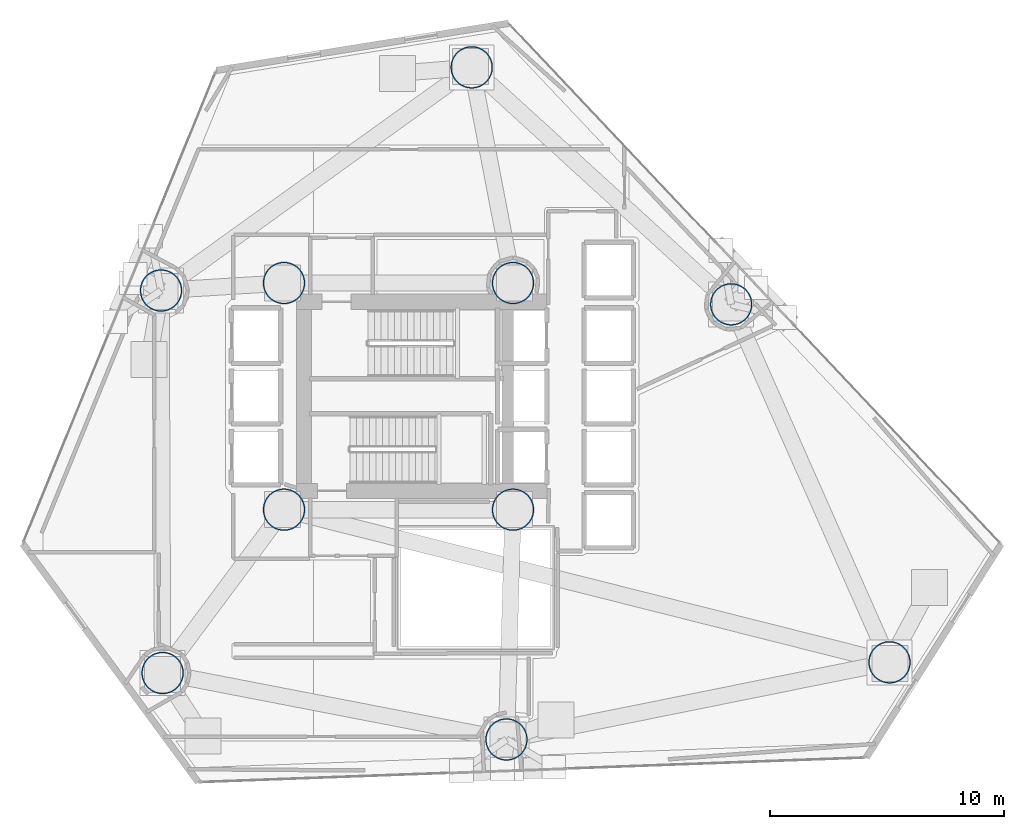
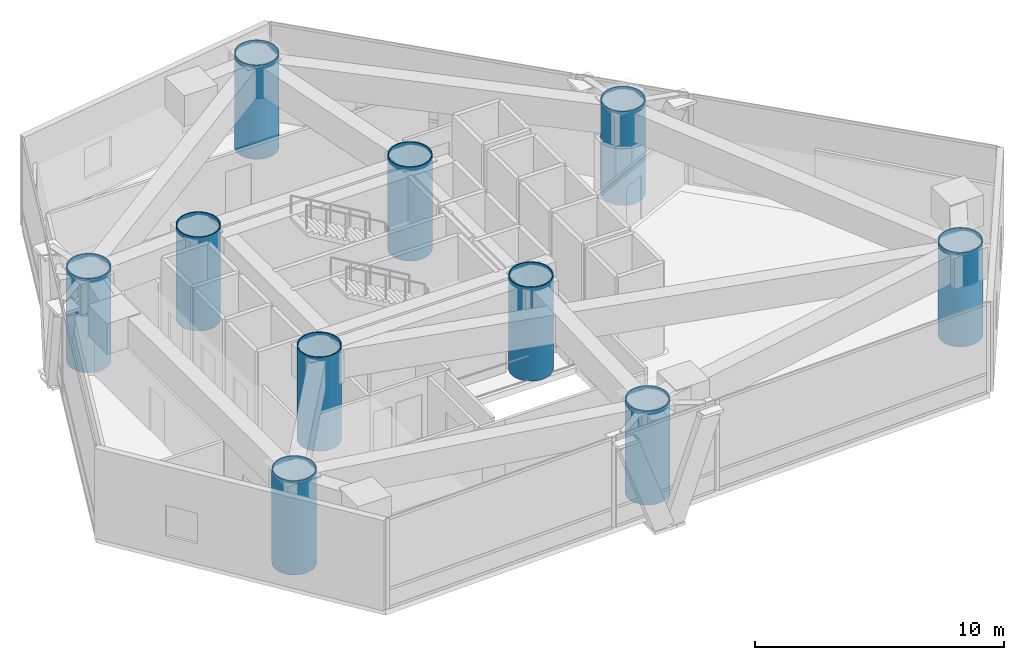
# One storey, part 1 of 22: 10 columns.
"""IFC4 building model written with IfcOpenShell, lengths in metres."""

from ifc_helpers import new_model, si_unit, direction, frame, origin, origin_2d, place, context, subcontext, project, spatial, hollow_circle, extrude, material, material_profile, profile_set, type_object, element, save


model = new_model("IFC4")

# Units and contexts
model_context = context("Model", 3, precision=1e-05, world=origin(), true_north=direction((0.0, 1.0)))
body_context = subcontext(model_context, "Body", "Model", "MODEL_VIEW")
ifc_project = project(units=[si_unit("LENGTHUNIT", "METRE"), si_unit("AREAUNIT", "SQUARE_METRE"), si_unit("VOLUMEUNIT", "CUBIC_METRE"), si_unit("PLANEANGLEUNIT", "RADIAN"), si_unit("MASSUNIT", "GRAM", prefix="KILO")], contexts=[model_context])

# Site, building, storey
site_placement = place(None, origin())
site = spatial("IfcSite", under=ifc_project, at=site_placement, CompositionType="ELEMENT")
building_placement = place(site_placement, origin())
building = spatial("IfcBuilding", under=site, at=building_placement, Name="Qianvela Tower", CompositionType="ELEMENT")
storey_placement = place(building_placement, frame((0.0, 0.0, 47.89990234375)))
storey = spatial("IfcBuildingStorey", under=building, at=storey_placement, Name="L11", CompositionType="ELEMENT", Elevation=47.89990234375)

# Columns
ifc_material = material(Name="Steel Q420GJC", Category="steel")
ifc_material_profile = material_profile(ifc_material, hollow_circle(Radius=0.89990234375, WallThickness=0.044921875, at=origin_2d()), Name="CFT-1800x45")
ifc_profile_set = profile_set([ifc_material_profile], Name="Steel Q420GJC")
column_type = type_object("IfcColumnType", Name="COL-CFT-1800x45", PredefinedType="COLUMN", material=ifc_profile_set)
for number, where, z_axis, x_axis, name in (
    (1, (28.60009765625, 33.550048828125, 0.0), (0.0, 0.0, 1.0), (1.0, 0.0, 0.0), "L11 Core Corner Mega-Column CC-NW"),
    (2, (28.60009765625, 23.85009765625, 0.0), (0.0, 0.0, 1.0), (1.0, 0.0, 0.0), "L11 Core Corner Mega-Column CC-SW"),
    (3, (38.39990234375, 33.550048828125, 0.0), (0.0, 0.0, 1.0), (1.0, 0.0, 0.0), "L11 Core Corner Mega-Column CC-NE"),
    (4, (38.39990234375, 23.85009765625, 0.0), (0.0, 0.0, 1.0), (1.0, 0.0, 0.0), "L11 Core Corner Mega-Column CC-SE"),
    (5, (54.511962890625, 17.31689453125, 0.0), (0.0, 0.0, 1.0), (1.0, 0.0, 0.0), "L11 Zone Z1 CFT Mega-Column C1"),
    (6, (47.736083984375, 32.636962890625, 0.0), (0.0, 0.0, 1.0), (1.0, 0.0, 0.0), "L11 Zone Z1 CFT Mega-Column C2"),
    (7, (36.632080078125, 42.778076171875, 0.0), (0.0, 0.0, 1.0), (1.0, 0.0, 0.0), "L11 Zone Z1 CFT Mega-Column C3"),
    (8, (23.337890625, 33.22802734375, 0.0), (0.0, 0.0, 1.0), (1.0, 0.0, 0.0), "L11 Zone Z1 CFT Mega-Column C4"),
    (9, (23.404052734375, 16.860107421875, 0.0), (0.0, 0.0, 1.0), (1.0, 0.0, 0.0), "L11 Zone Z1 CFT Mega-Column C5"),
    (10, (38.1201171875, 14.01611328125, 0.0), (0.0, 0.0, 1.0), (1.0, 0.0, 0.0), "L11 Zone Z1 CFT Mega-Column C6"),
):
    element("IfcColumn", number, at=place(storey_placement, frame(where, z_axis=z_axis, x_axis=x_axis)), inside=storey, type_object=column_type, Name=name, PredefinedType="COLUMN", context=body_context, shape_type="SweptSolid", body=[
        extrude(hollow_circle(Radius=0.89990234375, WallThickness=0.044921875, at=origin_2d()), origin(), (0.0, 0.0, 1.0), 4.60009765625),
    ])

save(model, "model.ifc")
